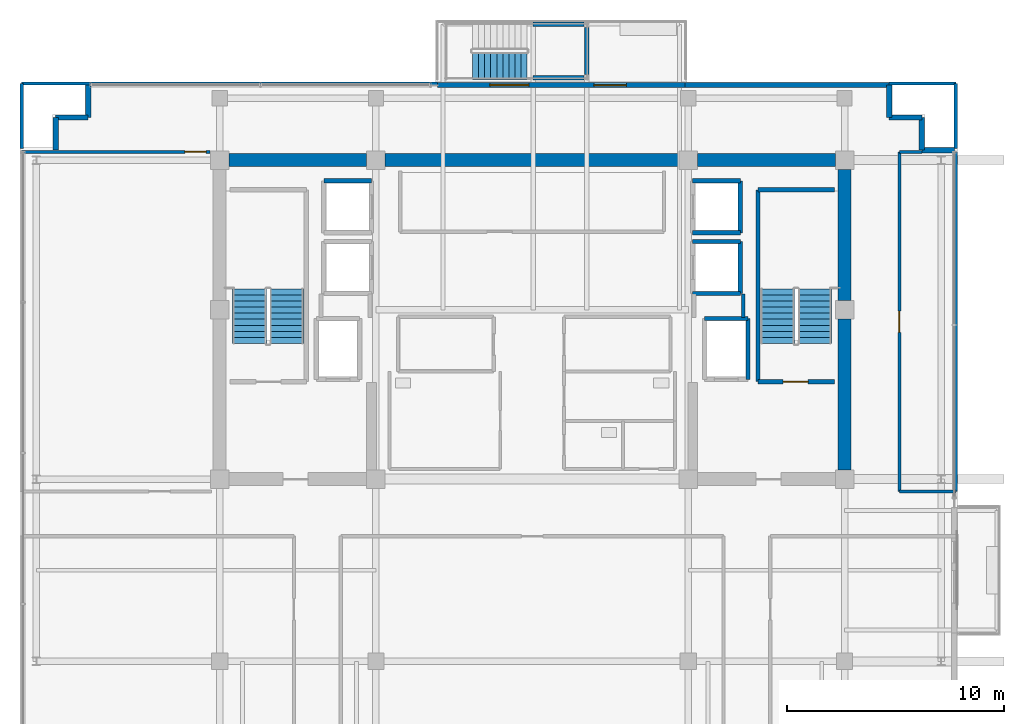
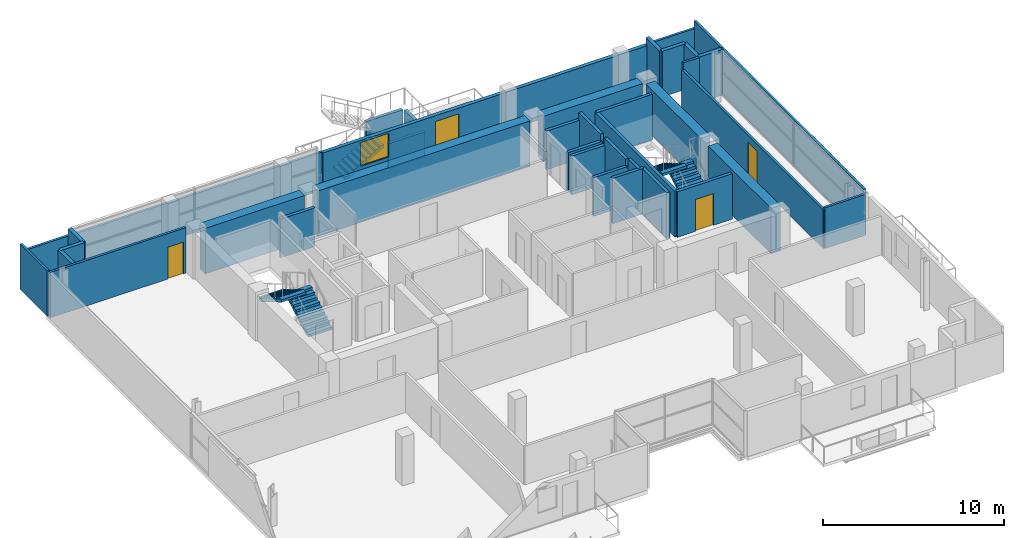
# One storey, part 19 of 24: 39 walls, 5 stair flights, 4 doors, 1 window, 5 openings, 3 elements without a shape of their own.
"""IFC4 building model written with IfcOpenShell, lengths in metres."""

from ifc_helpers import new_model, si_unit, direction, frame, frame_2d, origin, place, context, subcontext, project, spatial, polyline, rectangle, outline, extrude, source, transform, mapped, material, layer, layer_set, type_object, element, fill, aggregate, save


model = new_model("IFC4")

# Units and contexts
model_context = context("Model", 3, precision=1e-05, world=origin(), true_north=direction((0.0, 1.0)))
body_context = subcontext(model_context, "Body", "Model", "MODEL_VIEW")
ifc_project = project(units=[si_unit("LENGTHUNIT", "METRE"), si_unit("AREAUNIT", "SQUARE_METRE"), si_unit("VOLUMEUNIT", "CUBIC_METRE"), si_unit("PLANEANGLEUNIT", "RADIAN"), si_unit("MASSUNIT", "GRAM", prefix="KILO")], contexts=[model_context])

# Site, building, storey
site_placement = place(None, origin())
site = spatial("IfcSite", under=ifc_project, at=site_placement, CompositionType="ELEMENT")
building_placement = place(site_placement, origin())
building = spatial("IfcBuilding", under=site, at=building_placement, Name="Zarnakvel Exchange Tower", CompositionType="ELEMENT")
storey_placement = place(building_placement, frame((0.0, 0.0, 205.60009765625)))
storey = spatial("IfcBuildingStorey", under=building, at=storey_placement, Name="L57", CompositionType="ELEMENT", Elevation=205.60009765625)

# Walls
ifc_material_1 = material(Name="Concrete C50/60", Category="concrete")
ifc_layer_1 = layer(ifc_material_1, 0.60009765625)
ifc_layer_set_1 = layer_set([ifc_layer_1], Name="Concrete C50/60")
wall_type_1 = type_object("IfcWallType", Name="CW-C5", PredefinedType="SHEAR", material=ifc_layer_set_1)
wall_1_placement = place(storey_placement, frame((-13.97509765625, 13.5, 0.0), z_axis=(0.0, 0.0, 1.0), x_axis=(1.0, 0.0, 0.0)))
element("IfcWall", 1, at=wall_1_placement, inside=storey, type_object=wall_type_1, Name="L57 Rear Core Shear Wall N1 (CW-C5)", PredefinedType="SHEAR", context=body_context, shape_type="SweptSolid", body=[
    extrude(rectangle(XDim=6.35009765625, YDim=0.60009765625, at=frame_2d((3.175048828125, 0.0))), origin(), (0.0, 0.0, 1.0), 3.074951171875),
])
wall_2_placement = place(storey_placement, frame((-6.77490234375, 13.5, 0.0), z_axis=(0.0, 0.0, 1.0), x_axis=(1.0, 0.0, 0.0)))
element("IfcWall", 2, at=wall_2_placement, inside=storey, type_object=wall_type_1, Name="L57 Rear Core Shear Wall N2 (CW-C5)", PredefinedType="SHEAR", context=body_context, shape_type="SweptSolid", body=[
    extrude(rectangle(XDim=13.5498046875, YDim=0.60009765625, at=frame_2d((6.77490234375, 0.0))), origin(), (0.0, 0.0, 1.0), 3.074951171875),
])
wall_3_placement = place(storey_placement, frame((7.625, 13.5, 0.0), z_axis=(0.0, 0.0, 1.0), x_axis=(1.0, 0.0, 0.0)))
element("IfcWall", 3, at=wall_3_placement, inside=storey, type_object=wall_type_1, Name="L57 Rear Core Shear Wall N3 (CW-C5)", PredefinedType="SHEAR", context=body_context, shape_type="SweptSolid", body=[
    extrude(rectangle(XDim=6.35009765625, YDim=0.60009765625, at=frame_2d((3.175048828125, 0.0))), origin(), (0.0, 0.0, 1.0), 3.074951171875),
])
wall_4_placement = place(storey_placement, frame((14.39990234375, -0.77490234375, 0.0), z_axis=(0.0, 0.0, 1.0), x_axis=(0.0, 1.0, 0.0)))
element("IfcWall", 4, at=wall_4_placement, inside=storey, type_object=wall_type_1, Name="L57 Rear Core Shear Wall E1 (CW-C5)", PredefinedType="SHEAR", context=body_context, shape_type="SweptSolid", body=[
    extrude(rectangle(XDim=6.949951171875, YDim=0.60009765625, at=frame_2d((3.47509765625, 0.0))), origin(), (0.0, 0.0, 1.0), 3.074951171875),
])
wall_5_placement = place(storey_placement, frame((14.39990234375, 7.02490234375, 0.0), z_axis=(0.0, 0.0, 1.0), x_axis=(0.0, 1.0, 0.0)))
element("IfcWall", 5, at=wall_5_placement, inside=storey, type_object=wall_type_1, Name="L57 Rear Core Shear Wall E2 (CW-C5)", PredefinedType="SHEAR", context=body_context, shape_type="SweptSolid", body=[
    extrude(rectangle(XDim=6.050048828125, YDim=0.60009765625, at=frame_2d((3.02490234375, 0.0))), origin(), (0.0, 0.0, 1.0), 3.074951171875),
])

# Wall, openings, door, window
ifc_material_2 = material(Name="Precast concrete C40/50", Category="concrete")
ifc_layer_2 = layer(ifc_material_2, 0.239990234375)
ifc_layer_set_2 = layer_set([ifc_layer_2], Name="Precast concrete C40/50")
wall_type_2 = type_object("IfcWallType", Name="EW-02", PredefinedType="SOLIDWALL", material=ifc_layer_set_2)
wall_6_placement = place(storey_placement, frame((-4.35009765625, 16.9599609375, 0.0), z_axis=(0.0, 0.0, 1.0), x_axis=(1.0, 0.0, 0.0)))
wall_6 = element("IfcWall", 6, at=wall_6_placement, inside=storey, type_object=wall_type_2, Name="L57 Exterior Precast Spandrel Wall EW-SPTER-L57 (EW-02)", PredefinedType="SOLIDWALL", context=body_context, shape_type="SweptSolid", body=[
    extrude(rectangle(XDim=11.400146484375, YDim=0.239990234375, at=frame_2d((5.7001953125, 0.0))), origin(), (0.0, 0.0, 1.0), 2.58984375),
])
opening_1_placement = place(wall_6_placement, frame((7.199951171875, 0.0, 0.0)))
opening_1 = element("IfcOpeningElement", 7, at=opening_1_placement, cuts=wall_6, Name="Opening TD-L57-SP", PredefinedType="OPENING", context=body_context, shape_type="SweptSolid", body=[
    extrude(rectangle(XDim=1.5, YDim=2.199951171875, at=frame_2d((0.75, 1.10009765625))), frame((0.0, 0.1298828125, 0.0), z_axis=(0.0, -1.0, 0.0), x_axis=(1.0, 0.0, 0.0)), (0.0, 0.0, 1.0), 0.260009765625),
])
opening_2_placement = place(wall_6_placement, frame((2.39990234375, 0.0, 0.85009765625)))
opening_2 = element("IfcOpeningElement", 8, at=opening_2_placement, cuts=wall_6, Name="Opening WN-05", PredefinedType="OPENING", context=body_context, shape_type="SweptSolid", body=[
    extrude(rectangle(XDim=1.800048828125, YDim=1.60009765625, at=frame_2d((0.89990234375, 0.800048828125))), frame((0.0, 0.1298828125, 0.0), z_axis=(0.0, -1.0, 0.0), x_axis=(1.0, 0.0, 0.0)), (0.0, 0.0, 1.0), 0.260009765625),
])
ifc_material_3 = material(Name="Architectural Bronze Anodised Aluminium", Category="aluminium")
door_type_1 = type_object("IfcDoorType", Name="DT-10", OperationType="NOTDEFINED", PredefinedType="DOOR", material=ifc_material_3)
shared_shape_1 = source(origin(), body_context, "Body", "SweptSolid", [
    extrude(rectangle(XDim=1.5, YDim=2.199951171875, at=frame_2d((0.75, 1.10009765625))), frame((0.0, 0.02490234375, 0.0), z_axis=(0.0, -1.0, 0.0), x_axis=(1.0, 0.0, 0.0)), (0.0, 0.0, 1.0), 0.050048828125),
])
door_1_placement = place(opening_1_placement, origin())
door_1 = element("IfcDoor", 9, at=door_1_placement, inside=storey, type_object=door_type_1, Name="L57 Spiral Sky-Terrace Access Door TD-L57-SP", OperationType="DOUBLE_DOOR_SINGLE_SWING", OverallHeight=2.199951171875, OverallWidth=1.5, PredefinedType="DOOR", context=body_context, shape_type="MappedRepresentation", body=[
    mapped(shared_shape_1, transform((0.0, 0.0, 0.0), x_axis=(1.0, 0.0, 0.0), y_axis=(0.0, 1.0, 0.0), z_axis=(0.0, 0.0, 1.0), scale=1.0)),
])
fill(opening_1, door_1)
ifc_material_4 = material(Name="Double Low-E Laminated Vision Glass", Category="glass")
window_type = type_object("IfcWindowType", Name="WN-05", PartitioningType="SINGLE_PANEL", PredefinedType="WINDOW", material=ifc_material_4)
shared_shape_2 = source(origin(), body_context, "Body", "SweptSolid", [
    extrude(rectangle(XDim=1.800048828125, YDim=1.60009765625, at=frame_2d((0.89990234375, 0.800048828125))), frame((0.0, 0.030029296875, 0.0), z_axis=(0.0, -1.0, 0.0), x_axis=(1.0, 0.0, 0.0)), (0.0, 0.0, 1.0), 0.06005859375),
])
window_placement = place(opening_2_placement, origin())
window = element("IfcWindow", 10, at=window_placement, inside=storey, type_object=window_type, Name="L57 Spiral Sky-Terrace Lounge Window", OverallHeight=1.60009765625, OverallWidth=1.800048828125, PartitioningType="SINGLE_PANEL", PredefinedType="WINDOW", context=body_context, shape_type="MappedRepresentation", body=[
    mapped(shared_shape_2, transform((0.0, 0.0, 0.0), x_axis=(1.0, 0.0, 0.0), y_axis=(0.0, 1.0, 0.0), z_axis=(0.0, 0.0, 1.0), scale=1.0)),
])
fill(opening_2, window)

# Walls
for number, where, z_axis, x_axis, name in (
    (11, (-21.9599609375, 15.4599609375, 0.0), (0.0, 0.0, 1.0), (0.0, -1.0, 0.0), "L57 Exterior Precast Spandrel Wall EWC-L57-02 (EW-02)"),
    (12, (-20.4599609375, 15.4599609375, 0.0), (0.0, 0.0, 1.0), (-1.0, 0.0, 0.0), "L57 Exterior Precast Spandrel Wall EWC-L57-03 (EW-02)"),
    (13, (-20.4599609375, 16.9599609375, 0.0), (0.0, 0.0, 1.0), (0.0, -1.0, 0.0), "L57 Exterior Precast Spandrel Wall EWC-L57-04 (EW-02)"),
):
    element("IfcWall", number, at=place(storey_placement, frame(where, z_axis=z_axis, x_axis=x_axis)), inside=storey, type_object=wall_type_2, Name=name, PredefinedType="SOLIDWALL", context=body_context, shape_type="SweptSolid", body=[
        extrude(rectangle(XDim=1.5, YDim=0.239990234375, at=frame_2d((0.75, 0.0))), origin(), (0.0, 0.0, 1.0), 3.074951171875),
    ])
wall_7_placement = place(storey_placement, frame((16.4599609375, 16.9599609375, 0.0), z_axis=(0.0, 0.0, 1.0), x_axis=(-1.0, 0.0, 0.0)))
element("IfcWall", 14, at=wall_7_placement, inside=storey, type_object=wall_type_2, Name="L57 Exterior Precast Spandrel Wall EWC-L57-06 (EW-02)", PredefinedType="SOLIDWALL", context=body_context, shape_type="SweptSolid", body=[
    extrude(rectangle(XDim=9.409912109375, YDim=0.239990234375, at=frame_2d((4.705078125, 0.0))), origin(), (0.0, 0.0, 1.0), 2.58984375),
])
for number, where, z_axis, x_axis, name in (
    (15, (16.4599609375, 15.4599609375, 0.0), (0.0, 0.0, 1.0), (0.0, 1.0, 0.0), "L57 Exterior Precast Spandrel Wall EWC-L57-07 (EW-02)"),
    (16, (17.9599609375, 15.4599609375, 0.0), (0.0, 0.0, 1.0), (-1.0, 0.0, 0.0), "L57 Exterior Precast Spandrel Wall EWC-L57-08 (EW-02)"),
    (17, (17.9599609375, 13.9599609375, 0.0), (0.0, 0.0, 1.0), (0.0, 1.0, 0.0), "L57 Exterior Precast Spandrel Wall EWC-L57-09 (EW-02)"),
    (18, (19.4599609375, 13.9599609375, 0.0), (0.0, 0.0, 1.0), (-1.0, 0.0, 0.0), "L57 Exterior Precast Spandrel Wall EWC-L57-10 (EW-02)"),
):
    element("IfcWall", number, at=place(storey_placement, frame(where, z_axis=z_axis, x_axis=x_axis)), inside=storey, type_object=wall_type_2, Name=name, PredefinedType="SOLIDWALL", context=body_context, shape_type="SweptSolid", body=[
        extrude(rectangle(XDim=1.5, YDim=0.239990234375, at=frame_2d((0.75, 0.0))), origin(), (0.0, 0.0, 1.0), 3.074951171875),
    ])

# Wall, opening, door
ifc_material_5 = material(Name="Fire-Rated Gypsum Stud Partition", Category="gypsum")
ifc_layer_3 = layer(ifc_material_5, 0.14990234375)
ifc_layer_set_3 = layer_set([ifc_layer_3], Name="Fire-Rated Gypsum Stud Partition")
wall_type_3 = type_object("IfcWallType", Name="PT-01", PredefinedType="PARTITIONING", material=ifc_layer_set_3)
wall_8_placement = place(storey_placement, frame((-23.530029296875, 13.8798828125, 0.0), z_axis=(0.0, 0.0, 1.0), x_axis=(1.0, 0.0, 0.0)))
wall_8 = element("IfcWall", 19, at=wall_8_placement, inside=storey, type_object=wall_type_3, Name="L57 Partition Wall PWALL-L57-046 (PT-01)", PredefinedType="PARTITIONING", context=body_context, shape_type="SweptSolid", body=[
    extrude(rectangle(XDim=8.68505859375, YDim=0.14990234375, at=frame_2d((4.342529296875, 0.0))), origin(), (0.0, 0.0, 1.0), 3.074951171875),
])
opening_3_placement = place(wall_8_placement, frame((7.52490234375, 0.0, 0.0)))
opening_3 = element("IfcOpeningElement", 20, at=opening_3_placement, cuts=wall_8, Name="Opening D-L57-17", PredefinedType="OPENING", context=body_context, shape_type="SweptSolid", body=[
    extrude(rectangle(XDim=0.97998046875, YDim=2.14990234375, at=frame_2d((0.489990234375, 1.074951171875))), frame((0.0, 0.0849609375, 0.0), z_axis=(0.0, -1.0, 0.0), x_axis=(1.0, 0.0, 0.0)), (0.0, 0.0, 1.0), 0.169921875),
])
ifc_material_6 = material(Name="Timber Acoustic Veneer", Category="wood")
door_type_2 = type_object("IfcDoorType", Name="DT-05", OperationType="NOTDEFINED", PredefinedType="DOOR", material=ifc_material_6)
shared_shape_3 = source(origin(), body_context, "Body", "SweptSolid", [
    extrude(rectangle(XDim=0.97998046875, YDim=2.14990234375, at=frame_2d((0.489990234375, 1.074951171875))), frame((0.0, 0.02490234375, 0.0), z_axis=(0.0, -1.0, 0.0), x_axis=(1.0, 0.0, 0.0)), (0.0, 0.0, 1.0), 0.050048828125),
])
door_2_placement = place(opening_3_placement, origin())
door_2 = element("IfcDoor", 21, at=door_2_placement, inside=storey, type_object=door_type_2, Name="L57 Briefing Room Door D-L57-17", OperationType="SINGLE_SWING_LEFT", OverallHeight=2.14990234375, OverallWidth=0.97998046875, PredefinedType="DOOR", context=body_context, shape_type="MappedRepresentation", body=[
    mapped(shared_shape_3, transform((0.0, 0.0, 0.0), x_axis=(1.0, 0.0, 0.0), y_axis=(0.0, 1.0, 0.0), z_axis=(0.0, 0.0, 1.0), scale=1.0)),
])
fill(opening_3, door_2)

# Walls
wall_9_placement = place(storey_placement, frame((19.530029296875, -1.77001953125, 0.0), z_axis=(0.0, 0.0, 1.0), x_axis=(-1.0, 0.0, 0.0)))
element("IfcWall", 22, at=wall_9_placement, inside=storey, type_object=wall_type_3, Name="L57 Partition Wall PWALL-L57-048 (PT-01)", PredefinedType="PARTITIONING", context=body_context, shape_type="SweptSolid", body=[
    extrude(rectangle(XDim=2.60009765625, YDim=0.14990234375, at=frame_2d((1.300048828125, 0.0))), origin(), (0.0, 0.0, 1.0), 2.764892578125),
])
wall_10_placement = place(storey_placement, frame((16.929931640625, 13.8798828125, 0.0), z_axis=(0.0, 0.0, 1.0), x_axis=(1.0, 0.0, 0.0)))
element("IfcWall", 23, at=wall_10_placement, inside=storey, type_object=wall_type_3, Name="L57 Partition Wall PWALL-L57-049 (PT-01)", PredefinedType="PARTITIONING", context=body_context, shape_type="SweptSolid", body=[
    extrude(rectangle(XDim=1.030029296875, YDim=0.14990234375, at=frame_2d((0.51513671875, 0.0))), origin(), (0.0, 0.0, 1.0), 3.074951171875),
])

# Wall, opening, door
wall_11_placement = place(storey_placement, frame((16.929931640625, -1.77001953125, 0.0), z_axis=(0.0, 0.0, 1.0), x_axis=(0.0, 1.0, 0.0)))
wall_11 = element("IfcWall", 24, at=wall_11_placement, inside=storey, type_object=wall_type_3, Name="L57 Partition Wall PWALL-L57-050 (PT-01)", PredefinedType="PARTITIONING", context=body_context, shape_type="SweptSolid", body=[
    extrude(rectangle(XDim=15.64990234375, YDim=0.14990234375, at=frame_2d((7.824951171875, 0.0))), origin(), (0.0, 0.0, 1.0), 2.614990234375),
])
opening_4_placement = place(wall_11_placement, frame((7.3349609375, 0.0, 0.0)))
opening_4 = element("IfcOpeningElement", 25, at=opening_4_placement, cuts=wall_11, Name="Opening D-L57-16", PredefinedType="OPENING", context=body_context, shape_type="SweptSolid", body=[
    extrude(rectangle(XDim=0.97998046875, YDim=2.14990234375, at=frame_2d((0.489990234375, 1.074951171875))), frame((0.0, 0.0849609375, 0.0), z_axis=(0.0, -1.0, 0.0), x_axis=(1.0, 0.0, 0.0)), (0.0, 0.0, 1.0), 0.169921875),
])
door_3_placement = place(opening_4_placement, origin())
door_3 = element("IfcDoor", 26, at=door_3_placement, inside=storey, type_object=door_type_2, Name="L57 Refreshment Pantry Door D-L57-16", OperationType="SINGLE_SWING_RIGHT", OverallHeight=2.14990234375, OverallWidth=0.97998046875, PredefinedType="DOOR", context=body_context, shape_type="MappedRepresentation", body=[
    mapped(shared_shape_3, transform((0.0, 0.0, 0.0), x_axis=(1.0, 0.0, 0.0), y_axis=(0.0, 1.0, 0.0), z_axis=(0.0, 0.0, 1.0), scale=1.0)),
])
fill(opening_4, door_3)

# Walls
wall_12_placement = place(storey_placement, frame((19.530029296875, 13.8798828125, 0.0), z_axis=(0.0, 0.0, 1.0), x_axis=(0.0, -1.0, 0.0)))
element("IfcWall", 27, at=wall_12_placement, inside=storey, type_object=wall_type_3, Name="L57 Partition Wall PWALL-L57-051 (PT-01)", PredefinedType="PARTITIONING", context=body_context, shape_type="SweptSolid", body=[
    extrude(rectangle(XDim=15.64990234375, YDim=0.14990234375, at=frame_2d((7.824951171875, 0.0))), origin(), (0.0, 0.0, 1.0), 3.074951171875),
])
wall_13_placement = place(storey_placement, frame((-23.530029296875, 17.030029296875, 0.0), z_axis=(0.0, 0.0, 1.0), x_axis=(1.0, 0.0, 0.0)))
element("IfcWall", 28, at=wall_13_placement, inside=storey, type_object=wall_type_3, Name="L57 Partition Wall PWALL-L57-052 (PT-01)", PredefinedType="PARTITIONING", context=body_context, shape_type="SweptSolid", body=[
    extrude(rectangle(XDim=19.179931640625, YDim=0.14990234375, at=frame_2d((9.58984375, 0.0))), origin(), (0.0, 0.0, 1.0), 2.58984375),
])
wall_14_placement = place(storey_placement, frame((16.4599609375, 17.030029296875, 0.0), z_axis=(0.0, 0.0, 1.0), x_axis=(1.0, 0.0, 0.0)))
element("IfcWall", 29, at=wall_14_placement, inside=storey, type_object=wall_type_3, Name="L57 Partition Wall PWALL-L57-053 (PT-01)", PredefinedType="PARTITIONING", context=body_context, shape_type="SweptSolid", body=[
    extrude(rectangle(XDim=3.070068359375, YDim=0.14990234375, at=frame_2d((1.53515625, 0.0))), origin(), (0.0, 0.0, 1.0), 2.58984375),
])
for number, where, z_axis, x_axis, name in (
    (30, (-23.530029296875, 14.030029296875, 0.0), (0.0, 0.0, 1.0), (0.0, 1.0, 0.0), "L57 Partition Wall PWALL-L57-054 (PT-01)"),
    (31, (19.530029296875, 17.030029296875, 0.0), (0.0, 0.0, 1.0), (0.0, -1.0, 0.0), "L57 Partition Wall PWALL-L57-055 (PT-01)"),
):
    element("IfcWall", number, at=place(storey_placement, frame(where, z_axis=z_axis, x_axis=x_axis)), inside=storey, type_object=wall_type_3, Name=name, PredefinedType="PARTITIONING", context=body_context, shape_type="SweptSolid", body=[
        extrude(rectangle(XDim=3.0, YDim=0.14990234375, at=frame_2d((1.5, 0.0))), origin(), (0.0, 0.0, 1.0), 3.074951171875),
    ])
ifc_layer_4 = layer(ifc_material_5, 0.179931640625)
ifc_layer_set_4 = layer_set([ifc_layer_4], Name="Fire-Rated Gypsum Stud Partition")
wall_type_4 = type_object("IfcWallType", Name="PT-02", PredefinedType="PARTITIONING", material=ifc_layer_set_4)
wall_15_placement = place(storey_placement, frame((9.72998046875, 7.330078125, 0.0), z_axis=(0.0, 0.0, 1.0), x_axis=(0.0, -1.0, 0.0)))
element("IfcWall", 32, at=wall_15_placement, inside=storey, type_object=wall_type_4, Name="L57 Partition Wall PWALL-L57-010 (PT-02)", PredefinedType="PARTITIONING", context=body_context, shape_type="SweptSolid", body=[
    extrude(rectangle(XDim=1.090087890625, YDim=0.179931640625, at=frame_2d((0.544921875, 0.0))), origin(), (0.0, 0.0, 1.0), 3.074951171875),
])
ifc_material_7 = material(Name="Concrete C40/50", Category="concrete")
ifc_layer_5 = layer(ifc_material_7, 0.199951171875)
ifc_layer_set_5 = layer_set([ifc_layer_5], Name="Concrete C40/50")
wall_type_5 = type_object("IfcWallType", Name="SW-01", PredefinedType="SOLIDWALL", material=ifc_layer_set_5)
wall_16_placement = place(storey_placement, frame((7.949951171875, 6.199951171875, 0.0), z_axis=(0.0, 0.0, 1.0), x_axis=(1.0, 0.0, 0.0)))
element("IfcWall", 33, at=wall_16_placement, inside=storey, type_object=wall_type_5, Name="L57 FL-02 Hoistway Wall North", PredefinedType="SOLIDWALL", context=body_context, shape_type="SweptSolid", body=[
    extrude(rectangle(XDim=2.0, YDim=0.199951171875, at=frame_2d((1.0, 0.0))), origin(), (0.0, 0.0, 1.0), 3.074951171875),
])
wall_17_placement = place(storey_placement, frame((9.949951171875, 6.199951171875, 0.0), z_axis=(0.0, 0.0, 1.0), x_axis=(0.0, -1.0, 0.0)))
element("IfcWall", 34, at=wall_17_placement, inside=storey, type_object=wall_type_5, Name="L57 FL-02 Hoistway Wall East", PredefinedType="SOLIDWALL", context=body_context, shape_type="SweptSolid", body=[
    extrude(rectangle(XDim=2.800048828125, YDim=0.199951171875, at=frame_2d((1.39990234375, 0.0))), origin(), (0.0, 0.0, 1.0), 3.074951171875),
])
for number, where, z_axis, x_axis, name in (
    (35, (-9.60009765625, 12.550048828125, 0.0), (0.0, 0.0, 1.0), (1.0, 0.0, 0.0), "L57 PL-10 Hoistway Wall North"),
    (36, (9.60009765625, 7.35009765625, 0.0), (0.0, 0.0, 1.0), (-1.0, 0.0, 0.0), "L57 PL-11 Hoistway Wall South"),
    (37, (7.39990234375, 9.75, 0.0), (0.0, 0.0, 1.0), (1.0, 0.0, 0.0), "L57 PL-11 Hoistway Wall North"),
):
    element("IfcWall", number, at=place(storey_placement, frame(where, z_axis=z_axis, x_axis=x_axis)), inside=storey, type_object=wall_type_5, Name=name, PredefinedType="SOLIDWALL", context=body_context, shape_type="SweptSolid", body=[
        extrude(rectangle(XDim=2.2001953125, YDim=0.199951171875, at=frame_2d((1.10009765625, 0.0))), origin(), (0.0, 0.0, 1.0), 2.614990234375),
    ])
wall_18_placement = place(storey_placement, frame((9.60009765625, 9.75, 0.0), z_axis=(0.0, 0.0, 1.0), x_axis=(0.0, -1.0, 0.0)))
element("IfcWall", 38, at=wall_18_placement, inside=storey, type_object=wall_type_5, Name="L57 PL-11 Hoistway Wall East", PredefinedType="SOLIDWALL", context=body_context, shape_type="SweptSolid", body=[
    extrude(rectangle(XDim=2.39990234375, YDim=0.199951171875, at=frame_2d((1.199951171875, 0.0))), origin(), (0.0, 0.0, 1.0), 3.074951171875),
])
for number, where, z_axis, x_axis, name in (
    (39, (9.60009765625, 10.14990234375, 0.0), (0.0, 0.0, 1.0), (-1.0, 0.0, 0.0), "L57 PL-12 Hoistway Wall South"),
    (40, (7.39990234375, 12.550048828125, 0.0), (0.0, 0.0, 1.0), (1.0, 0.0, 0.0), "L57 PL-12 Hoistway Wall North"),
):
    element("IfcWall", number, at=place(storey_placement, frame(where, z_axis=z_axis, x_axis=x_axis)), inside=storey, type_object=wall_type_5, Name=name, PredefinedType="SOLIDWALL", context=body_context, shape_type="SweptSolid", body=[
        extrude(rectangle(XDim=2.2001953125, YDim=0.199951171875, at=frame_2d((1.10009765625, 0.0))), origin(), (0.0, 0.0, 1.0), 2.614990234375),
    ])
wall_19_placement = place(storey_placement, frame((9.60009765625, 12.550048828125, 0.0), z_axis=(0.0, 0.0, 1.0), x_axis=(0.0, -1.0, 0.0)))
element("IfcWall", 41, at=wall_19_placement, inside=storey, type_object=wall_type_5, Name="L57 PL-12 Hoistway Wall East", PredefinedType="SOLIDWALL", context=body_context, shape_type="SweptSolid", body=[
    extrude(rectangle(XDim=2.400146484375, YDim=0.199951171875, at=frame_2d((1.2001953125, 0.0))), origin(), (0.0, 0.0, 1.0), 3.074951171875),
])
ifc_layer_6 = layer(ifc_material_7, 0.199951171875)
ifc_layer_set_6 = layer_set([ifc_layer_6], Name="Concrete C40/50")
wall_type_6 = type_object("IfcWallType", Name="SW-02", PredefinedType="SOLIDWALL", material=ifc_layer_set_6)
wall_20_placement = place(storey_placement, frame((2.52001953125, 17.43994140625, -0.25), z_axis=(0.0, 0.0, 1.0), x_axis=(0.0, 1.0, 0.0)))
element("IfcWall", 42, at=wall_20_placement, inside=storey, type_object=wall_type_6, Name="L57 Sky-Terrace Stair ST-13 Landing Plinth Wall E", PredefinedType="SOLIDWALL", context=body_context, shape_type="SweptSolid", body=[
    extrude(rectangle(XDim=2.18017578125, YDim=0.199951171875, at=frame_2d((1.090087890625, 0.0))), origin(), (0.0, 0.0, 1.0), 1.699951171875),
])
for number, where, z_axis, x_axis, name in (
    (43, (0.050048828125, 17.300048828125, -0.25), (0.0, 0.0, 1.0), (1.0, 0.0, 0.0), "L57 Sky-Terrace Stair ST-13 Landing Plinth Wall S"),
    (44, (0.050048828125, 19.760009765625, -0.25), (0.0, 0.0, 1.0), (1.0, 0.0, 0.0), "L57 Sky-Terrace Stair ST-13 Landing Plinth Wall N"),
):
    element("IfcWall", number, at=place(storey_placement, frame(where, z_axis=z_axis, x_axis=x_axis)), inside=storey, type_object=wall_type_6, Name=name, PredefinedType="SOLIDWALL", context=body_context, shape_type="SweptSolid", body=[
        extrude(rectangle(XDim=2.329833984375, YDim=0.199951171875, at=frame_2d((1.1650390625, 0.0))), origin(), (0.0, 0.0, 1.0), 1.699951171875),
    ])

# Wall, opening, door
wall_21_placement = place(storey_placement, frame((13.929931640625, 3.2900390625, 0.0), z_axis=(0.0, 0.0, 1.0), x_axis=(-1.0, 0.0, 0.0)))
wall_21 = element("IfcWall", 45, at=wall_21_placement, inside=storey, type_object=wall_type_6, Name="L57 Stairwell Core Wall PWALL-L57-004 (SW-02)", PredefinedType="SOLIDWALL", context=body_context, shape_type="SweptSolid", body=[
    extrude(rectangle(XDim=3.52001953125, YDim=0.199951171875, at=frame_2d((1.760009765625, 0.0))), origin(), (0.0, 0.0, 1.0), 3.074951171875),
])
opening_5_placement = place(wall_21_placement, frame((1.205078125, 0.0, 0.0)))
opening_5 = element("IfcOpeningElement", 46, at=opening_5_placement, cuts=wall_21, Name="Opening D-L57-02", PredefinedType="OPENING", context=body_context, shape_type="SweptSolid", body=[
    extrude(rectangle(XDim=1.14990234375, YDim=2.14990234375, at=frame_2d((0.574951171875, 1.074951171875))), frame((0.0, 0.10986328125, 0.0), z_axis=(0.0, -1.0, 0.0), x_axis=(1.0, 0.0, 0.0)), (0.0, 0.0, 1.0), 0.219970703125),
])
ifc_material_8 = material(Name="Painted Galvanised Steel S355", Category="steel")
door_type_3 = type_object("IfcDoorType", Name="DT-04", OperationType="NOTDEFINED", PredefinedType="DOOR", material=ifc_material_8)
shared_shape_4 = source(origin(), body_context, "Body", "SweptSolid", [
    extrude(rectangle(XDim=1.14990234375, YDim=2.14990234375, at=frame_2d((0.574951171875, 1.074951171875))), frame((0.0, 0.02490234375, 0.0), z_axis=(0.0, -1.0, 0.0), x_axis=(1.0, 0.0, 0.0)), (0.0, 0.0, 1.0), 0.050048828125),
])
door_4_placement = place(opening_5_placement, origin())
door_4 = element("IfcDoor", 47, at=door_4_placement, inside=storey, type_object=door_type_3, Name="L57 Stairwell ST-02 Door D-L57-02", OperationType="SINGLE_SWING_RIGHT", OverallHeight=2.14990234375, OverallWidth=1.14990234375, PredefinedType="DOOR", context=body_context, shape_type="MappedRepresentation", body=[
    mapped(shared_shape_4, transform((0.0, 0.0, 0.0), x_axis=(1.0, 0.0, 0.0), y_axis=(0.0, 1.0, 0.0), z_axis=(0.0, 0.0, 1.0), scale=1.0)),
])
fill(opening_5, door_4)

# Walls
wall_22_placement = place(storey_placement, frame((10.409912109375, 12.1298828125, 0.0), z_axis=(0.0, 0.0, 1.0), x_axis=(1.0, 0.0, 0.0)))
element("IfcWall", 48, at=wall_22_placement, inside=storey, type_object=wall_type_6, Name="L57 Stairwell Core Wall PWALL-L57-005 (SW-02)", PredefinedType="SOLIDWALL", context=body_context, shape_type="SweptSolid", body=[
    extrude(rectangle(XDim=3.52001953125, YDim=0.199951171875, at=frame_2d((1.760009765625, 0.0))), origin(), (0.0, 0.0, 1.0), 3.074951171875),
])
wall_23_placement = place(storey_placement, frame((10.409912109375, 3.2900390625, 0.0), z_axis=(0.0, 0.0, 1.0), x_axis=(0.0, 1.0, 0.0)))
element("IfcWall", 49, at=wall_23_placement, inside=storey, type_object=wall_type_6, Name="L57 Stairwell Core Wall PWALL-L57-006 (SW-02)", PredefinedType="SOLIDWALL", context=body_context, shape_type="SweptSolid", body=[
    extrude(rectangle(XDim=8.83984375, YDim=0.199951171875, at=frame_2d((4.419921875, 0.0))), origin(), (0.0, 0.0, 1.0), 3.074951171875),
])

# Stair, stair flights
stair_type_1 = type_object("IfcStairType", Name="STR-01", PredefinedType="HALF_TURN_STAIR", material=ifc_material_7)
stair_1_placement = place(storey_placement, origin())
stair_1 = element("IfcStair", 50, at=stair_1_placement, inside=storey, type_object=stair_type_1, Name="L57 Protected Core Exit Stair ST-01", PredefinedType="HALF_TURN_STAIR")
stair_flight_type_1 = type_object("IfcStairFlightType", Name="FLT-01", PredefinedType="STRAIGHT", material=ifc_material_7)
stair_flight_1_placement = place(storey_placement, frame((-11.31494140625, 5.050048828125, 0.0), z_axis=(0.0, 0.0, 1.0), x_axis=(0.0, 1.0, 0.0)))
stair_flight_1 = element("IfcStairFlight", 51, at=stair_flight_1_placement, type_object=stair_flight_type_1, Name="ST-01 flight 1", NumberOfRisers=10, NumberOfTreads=9, PredefinedType="STRAIGHT", RiserHeight=0.165, TreadLength=0.28, context=body_context, shape_type="SweptSolid", body=[
    extrude(outline(polyline([(0.0, 0.0), (0.0, 0.1650390625), (0.280029296875, 0.1650390625), (0.280029296875, 0.330078125), (0.56005859375, 0.330078125), (0.56005859375, 0.4951171875), (0.840087890625, 0.4951171875), (0.840087890625, 0.659912109375), (1.1201171875, 0.659912109375), (1.1201171875, 0.824951171875), (1.39990234375, 0.824951171875), (1.39990234375, 0.989990234375), (1.679931640625, 0.989990234375), (1.679931640625, 1.155029296875), (1.9599609375, 1.155029296875), (1.9599609375, 1.320068359375), (2.239990234375, 1.320068359375), (2.239990234375, 1.485107421875), (2.52001953125, 1.485107421875), (2.52001953125, 1.64990234375), (2.52001953125, 1.31103515625), (0.295166015625, 0.0), (0.0, 0.0)])), frame((0.0, 0.77490234375, 0.0), z_axis=(0.0, -1.0, 0.0), x_axis=(1.0, 0.0, 0.0)), (0.0, 0.0, 1.0), 1.550048828125),
])
stair_flight_2_placement = place(storey_placement, frame((-13.02490234375, 7.570068359375, 1.64990234375), z_axis=(0.0, 0.0, 1.0), x_axis=(0.0, -1.0, 0.0)))
stair_flight_2 = element("IfcStairFlight", 52, at=stair_flight_2_placement, type_object=stair_flight_type_1, Name="ST-01 flight 2", NumberOfRisers=10, NumberOfTreads=9, PredefinedType="STRAIGHT", RiserHeight=0.165, TreadLength=0.28, context=body_context, shape_type="SweptSolid", body=[
    extrude(outline(polyline([(0.0, 0.0), (0.0, 0.1650390625), (0.280029296875, 0.1650390625), (0.280029296875, 0.330078125), (0.56005859375, 0.330078125), (0.56005859375, 0.4951171875), (0.840087890625, 0.4951171875), (0.840087890625, 0.659912109375), (1.1201171875, 0.659912109375), (1.1201171875, 0.824951171875), (1.39990234375, 0.824951171875), (1.39990234375, 0.989990234375), (1.679931640625, 0.989990234375), (1.679931640625, 1.155029296875), (1.9599609375, 1.155029296875), (1.9599609375, 1.320068359375), (2.239990234375, 1.320068359375), (2.239990234375, 1.485107421875), (2.52001953125, 1.485107421875), (2.52001953125, 1.64990234375), (2.52001953125, 1.31103515625), (0.295166015625, 0.0), (0.0, 0.0)])), frame((0.0, 0.77490234375, 0.0), z_axis=(0.0, -1.0, 0.0), x_axis=(1.0, 0.0, 0.0)), (0.0, 0.0, 1.0), 1.550048828125),
])
aggregate(stair_1, [stair_flight_1, stair_flight_2])

stair_2_placement = place(storey_placement, origin())
stair_2 = element("IfcStair", 53, at=stair_2_placement, inside=storey, type_object=stair_type_1, Name="L57 Protected Core Exit Stair ST-02", PredefinedType="HALF_TURN_STAIR")
stair_flight_3_placement = place(storey_placement, frame((13.02490234375, 5.050048828125, 0.0), z_axis=(0.0, 0.0, 1.0), x_axis=(0.0, 1.0, 0.0)))
stair_flight_3 = element("IfcStairFlight", 54, at=stair_flight_3_placement, type_object=stair_flight_type_1, Name="ST-02 flight 1", NumberOfRisers=10, NumberOfTreads=9, PredefinedType="STRAIGHT", RiserHeight=0.165, TreadLength=0.28, context=body_context, shape_type="SweptSolid", body=[
    extrude(outline(polyline([(0.0, 0.0), (0.0, 0.1650390625), (0.280029296875, 0.1650390625), (0.280029296875, 0.330078125), (0.56005859375, 0.330078125), (0.56005859375, 0.4951171875), (0.840087890625, 0.4951171875), (0.840087890625, 0.659912109375), (1.1201171875, 0.659912109375), (1.1201171875, 0.824951171875), (1.39990234375, 0.824951171875), (1.39990234375, 0.989990234375), (1.679931640625, 0.989990234375), (1.679931640625, 1.155029296875), (1.9599609375, 1.155029296875), (1.9599609375, 1.320068359375), (2.239990234375, 1.320068359375), (2.239990234375, 1.485107421875), (2.52001953125, 1.485107421875), (2.52001953125, 1.64990234375), (2.52001953125, 1.31103515625), (0.295166015625, 0.0), (0.0, 0.0)])), frame((0.0, 0.77490234375, 0.0), z_axis=(0.0, -1.0, 0.0), x_axis=(1.0, 0.0, 0.0)), (0.0, 0.0, 1.0), 1.550048828125),
])
stair_flight_4_placement = place(storey_placement, frame((11.31494140625, 7.570068359375, 1.64990234375), z_axis=(0.0, 0.0, 1.0), x_axis=(0.0, -1.0, 0.0)))
stair_flight_4 = element("IfcStairFlight", 55, at=stair_flight_4_placement, type_object=stair_flight_type_1, Name="ST-02 flight 2", NumberOfRisers=10, NumberOfTreads=9, PredefinedType="STRAIGHT", RiserHeight=0.165, TreadLength=0.28, context=body_context, shape_type="SweptSolid", body=[
    extrude(outline(polyline([(0.0, 0.0), (0.0, 0.1650390625), (0.280029296875, 0.1650390625), (0.280029296875, 0.330078125), (0.56005859375, 0.330078125), (0.56005859375, 0.4951171875), (0.840087890625, 0.4951171875), (0.840087890625, 0.659912109375), (1.1201171875, 0.659912109375), (1.1201171875, 0.824951171875), (1.39990234375, 0.824951171875), (1.39990234375, 0.989990234375), (1.679931640625, 0.989990234375), (1.679931640625, 1.155029296875), (1.9599609375, 1.155029296875), (1.9599609375, 1.320068359375), (2.239990234375, 1.320068359375), (2.239990234375, 1.485107421875), (2.52001953125, 1.485107421875), (2.52001953125, 1.64990234375), (2.52001953125, 1.31103515625), (0.295166015625, 0.0), (0.0, 0.0)])), frame((0.0, 0.77490234375, 0.0), z_axis=(0.0, -1.0, 0.0), x_axis=(1.0, 0.0, 0.0)), (0.0, 0.0, 1.0), 1.550048828125),
])
aggregate(stair_2, [stair_flight_3, stair_flight_4])

# Stair, stair flight
stair_type_2 = type_object("IfcStairType", Name="STR-05", PredefinedType="HALF_TURN_STAIR", material=ifc_material_7)
stair_3_placement = place(storey_placement, origin())
stair_3 = element("IfcStair", 56, at=stair_3_placement, inside=storey, type_object=stair_type_2, Name="L57 Spiral Sky-Terrace Connecting Stair ST-13", PredefinedType="HALF_TURN_STAIR")
stair_flight_type_2 = type_object("IfcStairFlightType", Name="FLT-05", PredefinedType="STRAIGHT", material=ifc_material_7)
stair_flight_5_placement = place(storey_placement, frame((-2.75, 17.844970703125, 0.0), z_axis=(0.0, 0.0, 1.0), x_axis=(1.0, 0.0, 0.0)))
stair_flight_5 = element("IfcStairFlight", 57, at=stair_flight_5_placement, type_object=stair_flight_type_2, Name="ST-13 flight 1", NumberOfRisers=10, NumberOfTreads=9, PredefinedType="STRAIGHT", RiserHeight=0.165, TreadLength=0.28, context=body_context, shape_type="SweptSolid", body=[
    extrude(outline(polyline([(0.0, 0.0), (0.0, 0.1650390625), (0.280029296875, 0.1650390625), (0.280029296875, 0.330078125), (0.56005859375, 0.330078125), (0.56005859375, 0.4951171875), (0.840087890625, 0.4951171875), (0.840087890625, 0.659912109375), (1.1201171875, 0.659912109375), (1.1201171875, 0.824951171875), (1.39990234375, 0.824951171875), (1.39990234375, 0.989990234375), (1.679931640625, 0.989990234375), (1.679931640625, 1.155029296875), (1.9599609375, 1.155029296875), (1.9599609375, 1.320068359375), (2.239990234375, 1.320068359375), (2.239990234375, 1.485107421875), (2.52001953125, 1.485107421875), (2.52001953125, 1.64990234375), (2.52001953125, 1.31103515625), (0.295166015625, 0.0), (0.0, 0.0)])), frame((0.0, 0.625, 0.0), z_axis=(0.0, -1.0, 0.0), x_axis=(1.0, 0.0, 0.0)), (0.0, 0.0, 1.0), 1.25),
])
aggregate(stair_3, [stair_flight_5])

save(model, "model.ifc")
